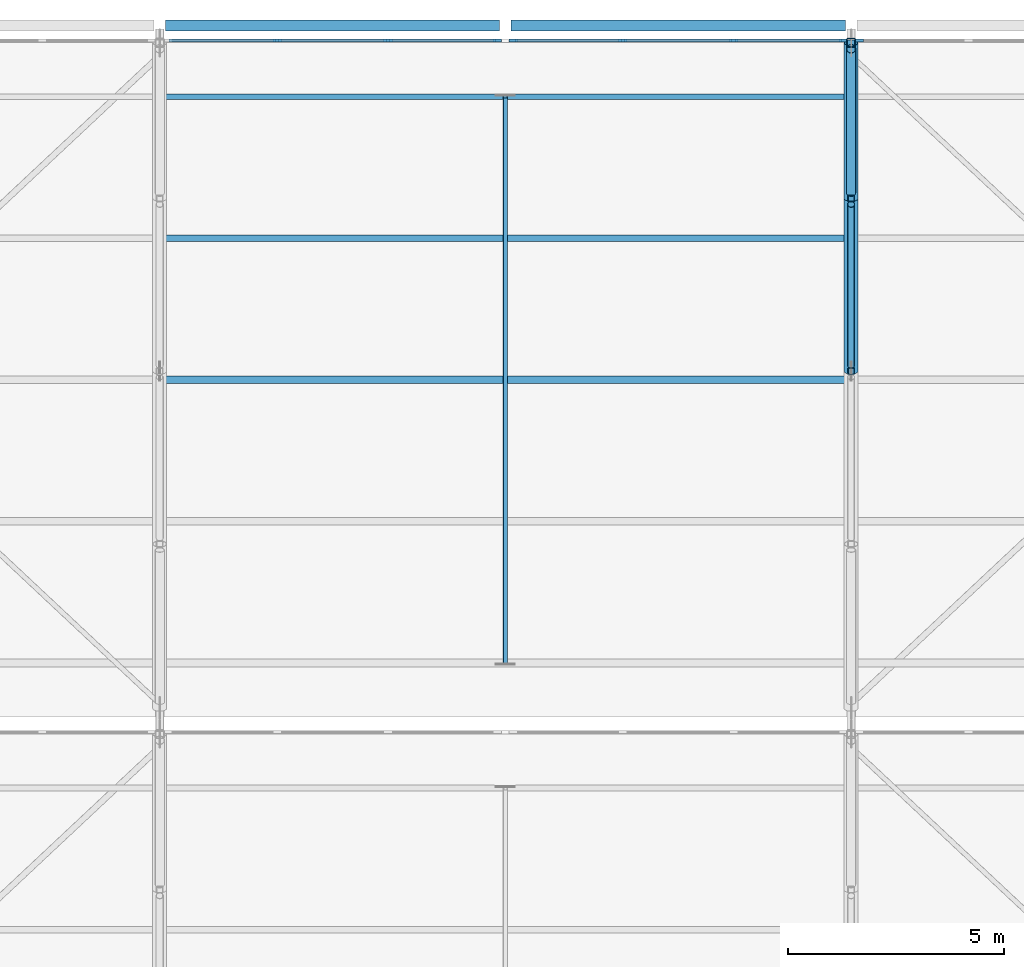
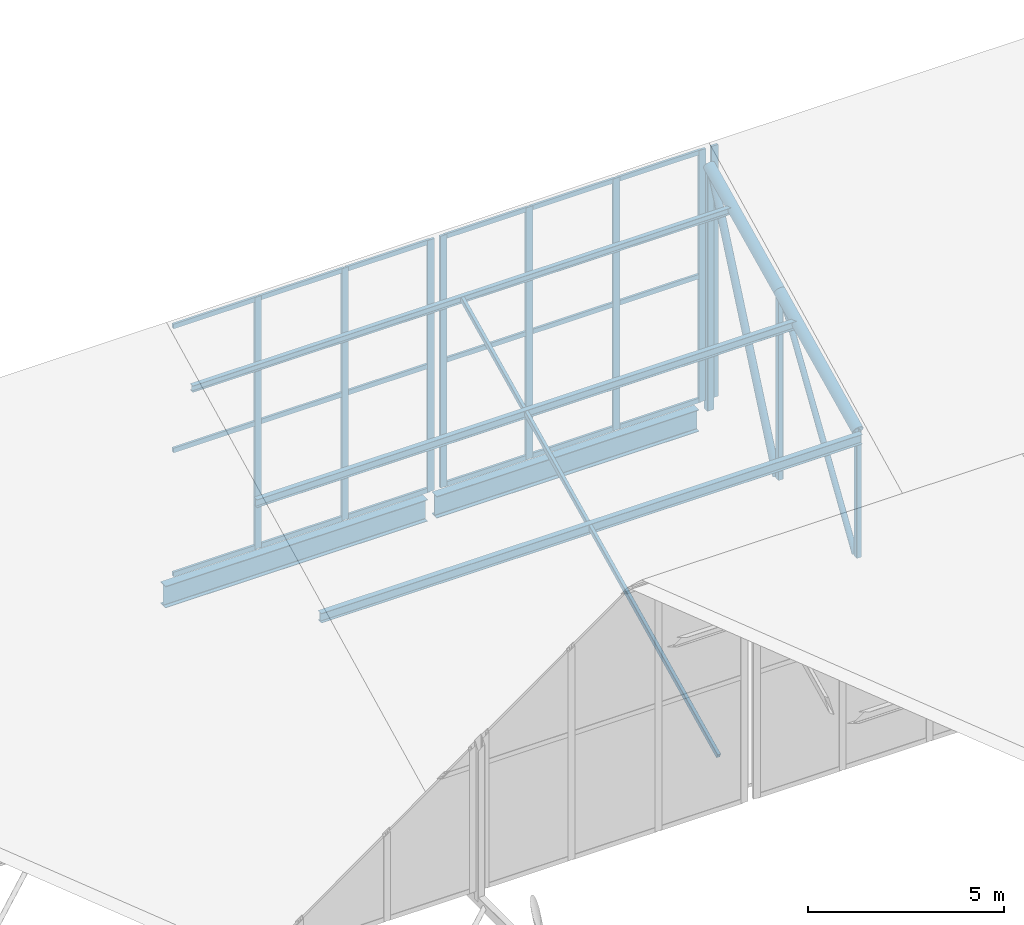
# One storey, part 88 of 137: 34 members, 5 beams, 3 elements without a shape of their own.
"""IFC4 building model written with IfcOpenShell, lengths in metres."""

import ifcopenshell
import ifcopenshell.guid

model = None  # the IFC model being written
_history = None  # IfcOwnerHistory: only IFC2X3 demands one
_inside = {}  # id of a spatial element -> (the spatial element, [elements in it])
_under = {}  # id of a project, library or spatial element -> (it, [spatial elements below it])
_declared = {}  # id of a project -> (the project, [libraries it declares])
_typed = {}  # id of a type object -> (the type object, [elements of that type])
_made_of = {}  # id of a material, layer set ... -> (it, [elements and type objects made of it])


def new_model(schema):
    """Start an empty IFC model of exactly this schema.

    Asked for "IFC4X3", IfcOpenShell would pick the latest addendum, in which some entities
    have other attributes; the version numbers below select the first issue.
    IFC2X3 requires an IfcOwnerHistory on every rooted entity: one is made here for all.
    """
    global model, _history
    if schema == "IFC4X3":
        model = ifcopenshell.file(schema_version=(4, 3, 0, 0))
    else:
        model = ifcopenshell.file(schema=schema)
    _inside.clear()
    _under.clear()
    _declared.clear()
    _typed.clear()
    _made_of.clear()
    _history = None
    if model.schema == "IFC2X3":
        org = make("IfcOrganization", Name="unknown")
        user = make(
            "IfcPersonAndOrganization",
            ThePerson=make("IfcPerson", FamilyName="unknown"),
            TheOrganization=org,
        )
        app = make(
            "IfcApplication",
            ApplicationDeveloper=org,
            Version="unknown",
            ApplicationFullName="unknown",
            ApplicationIdentifier="unknown",
        )
        _history = make(
            "IfcOwnerHistory",
            OwningUser=user,
            OwningApplication=app,
            ChangeAction="ADDED",
            CreationDate=0,
        )
    return model


def make(cls, **values):
    """One entity of the class cls with the attributes given. An attribute that is None is left unset."""
    return model.create_entity(
        cls, **{name: value for name, value in values.items() if value is not None}
    )


def rooted(cls, **values):
    """An entity with a GlobalId (a new one), such as an element, a storey or a relation."""
    return make(cls, GlobalId=ifcopenshell.guid.new(), OwnerHistory=_history, **values)


def si_unit(unit_type, name, prefix=None):
    """IfcSIUnit, for example si_unit("LENGTHUNIT", "METRE", prefix="MILLI")."""
    return make("IfcSIUnit", UnitType=unit_type, Prefix=prefix, Name=name)


def assignment(units):
    """IfcUnitAssignment: the units of a project."""
    return None if units is None else make("IfcUnitAssignment", Units=units)


def point(xyz):
    """IfcCartesianPoint."""
    return None if xyz is None else make("IfcCartesianPoint", Coordinates=xyz)


def direction(xyz):
    """IfcDirection."""
    return None if xyz is None else make("IfcDirection", DirectionRatios=xyz)


def frame(location, z_axis=None, x_axis=None):
    """IfcAxis2Placement3D, a coordinate frame: its origin and axes. An axis left out is left unset."""
    return make(
        "IfcAxis2Placement3D",
        Location=point(location),
        Axis=direction(z_axis),
        RefDirection=direction(x_axis),
    )


def frame_2d(location, x_axis=None):
    """IfcAxis2Placement2D, a coordinate frame in the plane: its origin and x axis."""
    return make(
        "IfcAxis2Placement2D", Location=point(location), RefDirection=direction(x_axis)
    )


def origin():
    """The frame at (0, 0, 0) with its axes left unset."""
    return frame((0.0, 0.0, 0.0))


def origin_2d():
    """The frame at (0, 0) in the plane with its x axis left unset."""
    return frame_2d((0.0, 0.0))


def place(relative_to, where):
    """IfcLocalPlacement: puts the frame where relative to a parent placement (None: the world)."""
    return make(
        "IfcLocalPlacement", PlacementRelTo=relative_to, RelativePlacement=where
    )


def context(
    kind, dimensions, precision=None, world=None, true_north=None, identifier=None
):
    """IfcGeometricRepresentationContext, for example the 3D "Model" context."""
    return make(
        "IfcGeometricRepresentationContext",
        ContextIdentifier=identifier,
        ContextType=kind,
        CoordinateSpaceDimension=dimensions,
        Precision=precision,
        WorldCoordinateSystem=world,
        TrueNorth=true_north,
    )


def subcontext(parent, identifier, kind, view, scale=None):
    """IfcGeometricRepresentationSubContext, for example "Body" below "Model"."""
    return make(
        "IfcGeometricRepresentationSubContext",
        ContextIdentifier=identifier,
        ContextType=kind,
        ParentContext=parent,
        TargetScale=scale,
        TargetView=view,
    )


def project(units=None, contexts=None):
    """IfcProject with its units and contexts."""
    return rooted(
        "IfcProject",
        Name="project",
        RepresentationContexts=contexts,
        UnitsInContext=assignment(units),
    )


def spatial(cls, under=None, at=None, **own):
    """A site, building, storey or space (cls), placed at a placement, below another one or the project."""
    s = rooted(cls, ObjectPlacement=at, **own)
    if under is not None:
        _under.setdefault(under.id(), (under, []))[1].append(s)
    return s


def profile(cls, at=None, kind="AREA", **sizes):
    """A parametric profile (cls). Its sizes go by their IFC names, for example OverallWidth=200.0."""
    return make(cls, ProfileType=kind, Position=at, **sizes)


def rectangle(**sizes):
    """IfcRectangleProfileDef."""
    return profile("IfcRectangleProfileDef", **sizes)


def hollow_rectangle(**sizes):
    """IfcRectangleHollowProfileDef."""
    return profile("IfcRectangleHollowProfileDef", **sizes)


def hollow_circle(**sizes):
    """IfcCircleHollowProfileDef."""
    return profile("IfcCircleHollowProfileDef", **sizes)


def i_section(**sizes):
    """IfcIShapeProfileDef."""
    return profile("IfcIShapeProfileDef", **sizes)


def extrude(swept, where, along, depth):
    """IfcExtrudedAreaSolid: the profile swept, set in the frame where, extruded along a direction by depth."""
    return make(
        "IfcExtrudedAreaSolid",
        SweptArea=swept,
        Position=where,
        ExtrudedDirection=direction(along),
        Depth=depth,
    )


def shape(context_of_items, identifier, shape_type, items):
    """IfcShapeRepresentation: the items that make up one representation, for example the "Body"."""
    return make(
        "IfcShapeRepresentation",
        ContextOfItems=context_of_items,
        RepresentationIdentifier=identifier,
        RepresentationType=shape_type,
        Items=items,
    )


def material(Name=None, Category=None):
    """IfcMaterial."""
    return make("IfcMaterial", Name=Name, Category=Category)


def layer(
    of_material, thickness, ventilated=None, Name=None, Category=None, Priority=None
):
    """IfcMaterialLayer: one layer of a wall or slab, of a material (None: an air gap)."""
    return make(
        "IfcMaterialLayer",
        Material=of_material,
        LayerThickness=thickness,
        IsVentilated=ventilated,
        Name=Name,
        Category=Category,
        Priority=Priority,
    )


def layer_set(layers, Name=None):
    """IfcMaterialLayerSet."""
    return make("IfcMaterialLayerSet", MaterialLayers=layers, LayerSetName=Name)


def material_profile(
    of_material, cross_section, Name=None, Category=None, Priority=None
):
    """IfcMaterialProfile: a cross section and its material."""
    return make(
        "IfcMaterialProfile",
        Name=Name,
        Material=of_material,
        Profile=cross_section,
        Priority=Priority,
        Category=Category,
    )


def profile_set(profiles, Name=None, composite=None):
    """IfcMaterialProfileSet."""
    return make(
        "IfcMaterialProfileSet",
        Name=Name,
        MaterialProfiles=profiles,
        CompositeProfile=composite,
    )


def made_of(thing, what):
    """Note that an element or type object is made of a material, layer set ...; save() writes the relation."""
    if what is not None:
        _made_of.setdefault(what.id(), (what, []))[1].append(thing)
    return thing


def type_object(cls, material=None, **own):
    """A type object (cls), such as IfcWallType, which elements share."""
    return made_of(rooted(cls, **own), material)


def element(
    cls,
    number,
    at=None,
    inside=None,
    cuts=None,
    type_object=None,
    material=None,
    context=None,
    identifier="Body",
    shape_type=None,
    held_by="IfcProductDefinitionShape",
    body=None,
    shapes=None,
    **own,
):
    """One element of the class cls, such as IfcWall. Its Tag is "e" and its number.

    at: its placement. inside: the storey or other place that contains it. cuts: it is an
    opening in that element (IfcRelVoidsElement). A single representation is given by context,
    identifier, shape_type and body (its items); several are given by shapes. held_by: the class
    of the entity that holds the representations. save() writes the other relations.
    """
    e = rooted(cls, Tag="e%d" % number, ObjectPlacement=at, **own)
    if body is not None:
        shapes = [shape(context, identifier, shape_type, body)]
    if shapes is not None:
        e.Representation = make(held_by, Representations=shapes)
    if inside is not None:
        _inside.setdefault(inside.id(), (inside, []))[1].append(e)
    if cuts is not None:
        rooted(
            "IfcRelVoidsElement", RelatingBuildingElement=cuts, RelatedOpeningElement=e
        )
    if type_object is not None:
        _typed.setdefault(type_object.id(), (type_object, []))[1].append(e)
    return made_of(e, material)


def aggregate(whole, parts):
    """IfcRelAggregates: a whole, such as a stair, and the parts it consists of."""
    return rooted("IfcRelAggregates", RelatingObject=whole, RelatedObjects=parts)


def save(model, path):
    """Write the relations noted so far, then the file.

    IfcRelAggregates (storeys below a building ...), IfcRelContainedInSpatialStructure (elements
    in a storey), IfcRelDefinesByType, IfcRelAssociatesMaterial and IfcRelDeclares: one each for
    every whole, place, type object, material and project.
    """
    for whole, parts in _under.values():
        aggregate(whole, parts)
    for where, things in _inside.values():
        rooted(
            "IfcRelContainedInSpatialStructure",
            RelatedElements=things,
            RelatingStructure=where,
        )
    for kind, things in _typed.values():
        rooted("IfcRelDefinesByType", RelatedObjects=things, RelatingType=kind)
    for what, things in _made_of.values():
        rooted("IfcRelAssociatesMaterial", RelatedObjects=things, RelatingMaterial=what)
    for by, libraries in _declared.values():
        rooted("IfcRelDeclares", RelatingContext=by, RelatedDefinitions=libraries)
    model.write(path)


model = new_model("IFC4")

# Units and contexts
model_context = context("Model", 3, precision=1e-05, world=origin(), true_north=direction((0.0, 1.0)))
body_context = subcontext(model_context, "Body", "Model", "MODEL_VIEW")
ifc_project = project(units=[si_unit("LENGTHUNIT", "METRE"), si_unit("AREAUNIT", "SQUARE_METRE"), si_unit("VOLUMEUNIT", "CUBIC_METRE"), si_unit("PLANEANGLEUNIT", "RADIAN"), si_unit("MASSUNIT", "GRAM", prefix="KILO")], contexts=[model_context])

# Site, building, storey
site_placement = place(None, origin())
site = spatial("IfcSite", under=ifc_project, at=site_placement, CompositionType="ELEMENT")
building_placement = place(site_placement, origin())
building = spatial("IfcBuilding", under=site, at=building_placement, Name="Jelvoka-Kovrelna Polytechnic", CompositionType="ELEMENT")
storey_placement = place(building_placement, frame((0.0, 0.0, 9.60009765625)))
storey = spatial("IfcBuildingStorey", under=building, at=storey_placement, Name="L03", CompositionType="ELEMENT", Elevation=9.60009765625)

# Beams
ifc_material_1 = material(Name="Structural steel S355JR", Category="steel")
ifc_material_profile_1 = material_profile(ifc_material_1, i_section(OverallWidth=0.2529296875, OverallDepth=0.677978515625, WebThickness=0.01171875, FlangeThickness=0.01611328125, FilletRadius=0.01513671875, at=origin_2d()), Name="686x254x125 UB")
ifc_profile_set_1 = profile_set([ifc_material_profile_1], Name="Structural steel S355JR")
beam_type_1 = type_object("IfcBeamType", Name="Girder_Steel_UB686", PredefinedType="BEAM", material=ifc_profile_set_1)
for number, where, z_axis, x_axis, name in (
    (1, (168.1328125, 120.0, -0.34912109375), (1.0, 0.0, 0.0), (0.0, 1.0, 0.0), "L03 beam 0110"),
    (2, (176.1328125, 120.0, -0.34912109375), (1.0, 0.0, 0.0), (0.0, 1.0, 0.0), "L03 beam 0112"),
):
    element("IfcBeam", number, at=place(storey_placement, frame(where, z_axis=z_axis, x_axis=x_axis)), inside=storey, type_object=beam_type_1, Name=name, PredefinedType="BEAM", context=body_context, shape_type="SweptSolid", body=[
        extrude(i_section(OverallWidth=0.2529296875, OverallDepth=0.677978515625, WebThickness=0.01171875, FlangeThickness=0.01611328125, FilletRadius=0.01513671875, at=origin_2d()), origin(), (0.0, 0.0, 1.0), 7.734375),
    ])

# Members
ifc_material_2 = material(Name="Structural steel S355J2H", Category="steel")
ifc_material_profile_2 = material_profile(ifc_material_2, hollow_circle(Radius=0.084228515625, WallThickness=0.008056640625, at=origin_2d()), Name="168.3x8.0 CHS")
ifc_profile_set_2 = profile_set([ifc_material_profile_2], Name="Structural steel S355J2H")
member_type_1 = type_object("IfcMemberType", Name="Member_Brace_CHS168", PredefinedType="BRACE", material=ifc_profile_set_2)
member_1_placement = place(storey_placement, frame((184.0, 112.139892578125, 0.14990234375), z_axis=(0.0, 0.5415746521, 0.840652660855), x_axis=(-1.0, 0.0, 0.0)))
element("IfcMember", 3, at=member_1_placement, inside=storey, type_object=member_type_1, Name="Sawtooth truss 7 diagonal web 2.3", PredefinedType="BRACE", context=body_context, shape_type="SweptSolid", body=[
    extrude(hollow_circle(Radius=0.084228515625, WallThickness=0.008056640625, at=origin_2d()), origin(), (0.0, 0.0, 1.0), 6.869140625),
])
ifc_material_3 = material(Name="Structural steel S355J2H", Category="steel")
ifc_material_profile_3 = material_profile(ifc_material_3, hollow_circle(Radius=0.109619140625, WallThickness=0.008056640625, at=origin_2d()), Name="219.1x8.0 CHS")
ifc_profile_set_3 = profile_set([ifc_material_profile_3], Name="Structural steel S355J2H")
member_type_2 = type_object("IfcMemberType", Name="Member_Brace_CHS219", PredefinedType="BRACE", material=ifc_profile_set_3)
member_2_placement = place(storey_placement, frame((184.0, 116.139892578125, 0.14990234375), z_axis=(0.0, 0.404336237521, 0.914610412705), x_axis=(-1.0, 0.0, 0.0)))
element("IfcMember", 4, at=member_2_placement, inside=storey, type_object=member_type_2, Name="Sawtooth truss 7 diagonal web 2.4", PredefinedType="BRACE", context=body_context, shape_type="SweptSolid", body=[
    extrude(hollow_circle(Radius=0.109619140625, WallThickness=0.008056640625, at=origin_2d()), origin(), (0.0, 0.0, 1.0), 8.211181640625),
])
ifc_material_4 = material(Name="Structural steel S355J2H", Category="steel")
ifc_material_profile_4 = material_profile(ifc_material_4, hollow_circle(Radius=0.161865234375, WallThickness=0.010009765625, at=origin_2d()), Name="323.9x10.0 CHS")
ifc_profile_set_4 = profile_set([ifc_material_profile_4], Name="Structural steel S355J2H")
member_type_3 = type_object("IfcMemberType", Name="Member_Chord_CHS324", PredefinedType="CHORD", material=ifc_profile_set_4)
member_3_placement = place(storey_placement, frame((184.0, 112.0, 4.076416015625), z_axis=(0.0, 0.900820911068, 0.434190840741), x_axis=(-1.0, 0.0, 0.0)))
element("IfcMember", 5, at=member_3_placement, inside=storey, type_object=member_type_3, Name="Sawtooth truss 7 top chord 2.3", PredefinedType="CHORD", context=body_context, shape_type="SweptSolid", body=[
    extrude(hollow_circle(Radius=0.161865234375, WallThickness=0.010009765625, at=origin_2d()), origin(), (0.0, 0.0, 1.0), 4.4404296875),
])
member_4_placement = place(storey_placement, frame((184.0, 116.0, 6.00439453125), z_axis=(0.0, 0.900784896778, 0.434265552095), x_axis=(-1.0, 0.0, 0.0)))
element("IfcMember", 6, at=member_4_placement, inside=storey, type_object=member_type_3, Name="Sawtooth truss 7 top chord 2.4", PredefinedType="CHORD", context=body_context, shape_type="SweptSolid", body=[
    extrude(hollow_circle(Radius=0.161865234375, WallThickness=0.010009765625, at=origin_2d()), origin(), (0.0, 0.0, 1.0), 3.99658203125),
])
ifc_material_5 = material(Name="Structural steel S355J2H", Category="steel")
ifc_material_profile_5 = material_profile(ifc_material_5, hollow_rectangle(XDim=0.14990234375, YDim=0.14990234375, WallThickness=0.008056640625, InnerFilletRadius=0.008056640625, OuterFilletRadius=0.011962890625, at=origin_2d()), Name="150x150x8.0 SHS")
ifc_profile_set_5 = profile_set([ifc_material_profile_5], Name="Structural steel S355J2H")
member_type_4 = type_object("IfcMemberType", Name="Member_Post_SHS150", PredefinedType="POST", material=ifc_profile_set_5)
member_5_placement = place(storey_placement, frame((184.0, 112.0, 0.14990234375), z_axis=(0.0, 0.0, 1.0), x_axis=(1.0, 0.0, 0.0)))
element("IfcMember", 7, at=member_5_placement, inside=storey, type_object=member_type_4, Name="Sawtooth truss 7 web post 2.3", PredefinedType="POST", context=body_context, shape_type="SweptSolid", body=[
    extrude(hollow_rectangle(XDim=0.14990234375, YDim=0.14990234375, WallThickness=0.008056640625, InnerFilletRadius=0.008056640625, OuterFilletRadius=0.011962890625, at=origin_2d()), origin(), (0.0, 0.0, 1.0), 3.926513671875),
])
member_6_placement = place(storey_placement, frame((184.0, 116.0, 0.14990234375), z_axis=(0.0, 0.0, 1.0), x_axis=(1.0, 0.0, 0.0)))
element("IfcMember", 8, at=member_6_placement, inside=storey, type_object=member_type_4, Name="Sawtooth truss 7 web post 2.4", PredefinedType="POST", context=body_context, shape_type="SweptSolid", body=[
    extrude(hollow_rectangle(XDim=0.14990234375, YDim=0.14990234375, WallThickness=0.008056640625, InnerFilletRadius=0.008056640625, OuterFilletRadius=0.011962890625, at=origin_2d()), origin(), (0.0, 0.0, 1.0), 5.8544921875),
])
ifc_material_6 = material(Name="Structural steel S355J2H", Category="steel")
ifc_material_profile_6 = material_profile(ifc_material_6, hollow_rectangle(XDim=0.199951171875, YDim=0.199951171875, WallThickness=0.010009765625, InnerFilletRadius=0.010009765625, OuterFilletRadius=0.014892578125, at=origin_2d()), Name="200x200x10.0 SHS")
ifc_profile_set_6 = profile_set([ifc_material_profile_6], Name="Structural steel S355J2H")
member_type_5 = type_object("IfcMemberType", Name="Member_Post_SHS200", PredefinedType="POST", material=ifc_profile_set_6)
member_7_placement = place(storey_placement, frame((184.0, 119.60009765625, 0.14990234375), z_axis=(0.0, 0.0, 1.0), x_axis=(1.0, 0.0, 0.0)))
element("IfcMember", 9, at=member_7_placement, inside=storey, type_object=member_type_5, Name="Sawtooth truss 7 web post 2.5", PredefinedType="POST", context=body_context, shape_type="SweptSolid", body=[
    extrude(hollow_rectangle(XDim=0.199951171875, YDim=0.199951171875, WallThickness=0.010009765625, InnerFilletRadius=0.010009765625, OuterFilletRadius=0.014892578125, at=origin_2d()), origin(), (0.0, 0.0, 1.0), 7.590087890625),
])
ifc_material_7 = material(Name="Structural steel S355J2H", Category="steel")
ifc_material_profile_7 = material_profile(ifc_material_7, hollow_rectangle(XDim=0.10009765625, YDim=0.14990234375, WallThickness=0.00634765625, InnerFilletRadius=0.00634765625, OuterFilletRadius=0.009521484375, at=origin_2d()), Name="150x100x6.3 RHS")
ifc_profile_set_7 = profile_set([ifc_material_profile_7], Name="Structural steel S355J2H")
member_type_6 = type_object("IfcMemberType", Name="Member_Rafter_RHS150", PredefinedType="RAFTER", material=ifc_profile_set_7)
member_8_placement = place(storey_placement, frame((176.0, 105.248046875, 0.821533203125), z_axis=(0.0, 0.900805023058, 0.434223802243), x_axis=(-1.0, 0.0, 0.0)))
element("IfcMember", 10, at=member_8_placement, inside=storey, type_object=member_type_6, Name="Sawtooth mid-bay secondary rafter 6.2", PredefinedType="RAFTER", context=body_context, shape_type="SweptSolid", body=[
    extrude(hollow_rectangle(XDim=0.10009765625, YDim=0.14990234375, WallThickness=0.00634765625, InnerFilletRadius=0.00634765625, OuterFilletRadius=0.009521484375, at=origin_2d()), origin(), (0.0, 0.0, 1.0), 14.546875),
])

# Curtain wall, members
ifc_material_8 = material(Name="Anodised aluminium 6063-T6", Category="aluminium")
ifc_layer = layer(ifc_material_8, 0.199951171875)
ifc_layer_set = layer_set([ifc_layer], Name="Anodised aluminium 6063-T6")
curtain_wall_type = type_object("IfcCurtainWallType", Name="CW_Clerestory", PredefinedType="NOTDEFINED", material=ifc_layer_set)
curtain_wall_1_placement = place(storey_placement, origin())
curtain_wall_1 = element("IfcCurtainWall", 11, at=curtain_wall_1_placement, inside=storey, type_object=curtain_wall_type, Name="L03 glazed curtain wall 204", PredefinedType="NOTDEFINED")
ifc_material_9 = material(Name="Anodised aluminium 6063-T6", Category="aluminium")
ifc_material_profile_8 = material_profile(ifc_material_9, rectangle(XDim=0.070068359375, YDim=0.199951171875, at=origin_2d()), Name="ALU 70x200")
ifc_profile_set_8 = profile_set([ifc_material_profile_8], Name="Anodised aluminium 6063-T6")
member_type_7 = type_object("IfcMemberType", Name="Mullion_M-03", PredefinedType="MULLION", material=ifc_profile_set_8)
member_9_placement = place(storey_placement, frame((170.716552734375, 119.64990234375, 0.425048828125), z_axis=(0.0, 0.0, 1.0), x_axis=(0.0, 1.0, 0.0)))
member_9 = element("IfcMember", 12, at=member_9_placement, type_object=member_type_7, Name="CW-03 mullion 2", PredefinedType="MULLION", context=body_context, shape_type="SweptSolid", body=[
    extrude(rectangle(XDim=0.070068359375, YDim=0.199951171875, at=origin_2d()), origin(), (0.0, 0.0, 1.0), 7.85009765625),
])
member_10_placement = place(storey_placement, frame((173.283447265625, 119.64990234375, 0.425048828125), z_axis=(0.0, 0.0, 1.0), x_axis=(0.0, 1.0, 0.0)))
member_10 = element("IfcMember", 13, at=member_10_placement, type_object=member_type_7, Name="CW-03 mullion 3", PredefinedType="MULLION", context=body_context, shape_type="SweptSolid", body=[
    extrude(rectangle(XDim=0.070068359375, YDim=0.199951171875, at=origin_2d()), origin(), (0.0, 0.0, 1.0), 7.85009765625),
])
member_11_placement = place(storey_placement, frame((175.81494140625, 119.64990234375, 0.425048828125), z_axis=(0.0, 0.0, 1.0), x_axis=(0.0, 1.0, 0.0)))
member_11 = element("IfcMember", 14, at=member_11_placement, type_object=member_type_7, Name="CW-03 mullion 4", PredefinedType="MULLION", context=body_context, shape_type="SweptSolid", body=[
    extrude(rectangle(XDim=0.070068359375, YDim=0.199951171875, at=origin_2d()), origin(), (0.0, 0.0, 1.0), 7.85009765625),
])

curtain_wall_2_placement = place(storey_placement, origin())
curtain_wall_2 = element("IfcCurtainWall", 15, at=curtain_wall_2_placement, inside=storey, type_object=curtain_wall_type, Name="L03 glazed curtain wall 206", PredefinedType="NOTDEFINED")
member_12_placement = place(storey_placement, frame((176.18505859375, 119.64990234375, 0.425048828125), z_axis=(0.0, 0.0, 1.0), x_axis=(0.0, 1.0, 0.0)))
member_12 = element("IfcMember", 16, at=member_12_placement, type_object=member_type_7, Name="CW-03 mullion 1", PredefinedType="MULLION", context=body_context, shape_type="SweptSolid", body=[
    extrude(rectangle(XDim=0.070068359375, YDim=0.199951171875, at=origin_2d()), origin(), (0.0, 0.0, 1.0), 7.85009765625),
])
member_13_placement = place(storey_placement, frame((178.716552734375, 119.64990234375, 0.425048828125), z_axis=(0.0, 0.0, 1.0), x_axis=(0.0, 1.0, 0.0)))
member_13 = element("IfcMember", 17, at=member_13_placement, type_object=member_type_7, Name="CW-03 mullion 2", PredefinedType="MULLION", context=body_context, shape_type="SweptSolid", body=[
    extrude(rectangle(XDim=0.070068359375, YDim=0.199951171875, at=origin_2d()), origin(), (0.0, 0.0, 1.0), 7.85009765625),
])
member_14_placement = place(storey_placement, frame((181.283447265625, 119.64990234375, 0.425048828125), z_axis=(0.0, 0.0, 1.0), x_axis=(0.0, 1.0, 0.0)))
member_14 = element("IfcMember", 18, at=member_14_placement, type_object=member_type_7, Name="CW-03 mullion 3", PredefinedType="MULLION", context=body_context, shape_type="SweptSolid", body=[
    extrude(rectangle(XDim=0.070068359375, YDim=0.199951171875, at=origin_2d()), origin(), (0.0, 0.0, 1.0), 7.85009765625),
])
member_15_placement = place(storey_placement, frame((183.81494140625, 119.64990234375, 0.425048828125), z_axis=(0.0, 0.0, 1.0), x_axis=(0.0, 1.0, 0.0)))
member_15 = element("IfcMember", 19, at=member_15_placement, type_object=member_type_7, Name="CW-03 mullion 4", PredefinedType="MULLION", context=body_context, shape_type="SweptSolid", body=[
    extrude(rectangle(XDim=0.070068359375, YDim=0.199951171875, at=origin_2d()), origin(), (0.0, 0.0, 1.0), 7.85009765625),
])

# Curtain wall, member
curtain_wall_3_placement = place(storey_placement, origin())
curtain_wall_3 = element("IfcCurtainWall", 20, at=curtain_wall_3_placement, inside=storey, type_object=curtain_wall_type, Name="L03 glazed curtain wall 208", PredefinedType="NOTDEFINED")
member_16_placement = place(storey_placement, frame((184.18505859375, 119.64990234375, 0.425048828125), z_axis=(0.0, 0.0, 1.0), x_axis=(0.0, 1.0, 0.0)))
member_16 = element("IfcMember", 21, at=member_16_placement, type_object=member_type_7, Name="CW-03 mullion 1", PredefinedType="MULLION", context=body_context, shape_type="SweptSolid", body=[
    extrude(rectangle(XDim=0.070068359375, YDim=0.199951171875, at=origin_2d()), origin(), (0.0, 0.0, 1.0), 7.85009765625),
])
aggregate(curtain_wall_3, [member_16])

# Beams
ifc_material_10 = material(Name="Structural steel S355JR", Category="steel")
ifc_material_profile_9 = material_profile(ifc_material_10, i_section(OverallWidth=0.13330078125, OverallDepth=0.203125, WebThickness=0.005615234375, FlangeThickness=0.0078125, FilletRadius=0.007568359375, at=origin_2d()), Name="203x133x25 UB")
ifc_profile_set_9 = profile_set([ifc_material_profile_9], Name="Structural steel S355JR")
beam_type_2 = type_object("IfcBeamType", Name="Purlin_Steel_UB203", PredefinedType="JOIST", material=ifc_profile_set_9)
beam_1_placement = place(storey_placement, frame((168.02001953125, 118.35205078125, 7.13818359375), z_axis=(1.0, 0.0, 0.0), x_axis=(0.0, 1.0, 0.0)))
element("IfcBeam", 22, at=beam_1_placement, inside=storey, type_object=beam_type_2, Name="Sawtooth roof purlin 060", PredefinedType="JOIST", context=body_context, shape_type="SweptSolid", body=[
    extrude(i_section(OverallWidth=0.13330078125, OverallDepth=0.203125, WebThickness=0.005615234375, FlangeThickness=0.0078125, FilletRadius=0.007568359375, at=origin_2d()), origin(), (0.0, 0.0, 1.0), 15.9599609375),
])
ifc_material_11 = material(Name="Structural steel S355JR", Category="steel")
ifc_material_profile_10 = material_profile(ifc_material_11, i_section(OverallWidth=0.14599609375, OverallDepth=0.25146484375, WebThickness=0.006103515625, FlangeThickness=0.008544921875, FilletRadius=0.007568359375, at=origin_2d()), Name="254x146x31 UB")
ifc_profile_set_10 = profile_set([ifc_material_profile_10], Name="Structural steel S355JR")
beam_type_3 = type_object("IfcBeamType", Name="Purlin_Steel_UB254", PredefinedType="JOIST", material=ifc_profile_set_10)
beam_2_placement = place(storey_placement, frame((168.02001953125, 115.075927734375, 5.55908203125), z_axis=(1.0, 0.0, 0.0), x_axis=(0.0, 1.0, 0.0)))
element("IfcBeam", 23, at=beam_2_placement, inside=storey, type_object=beam_type_3, Name="Sawtooth roof purlin 059", PredefinedType="JOIST", context=body_context, shape_type="SweptSolid", body=[
    extrude(i_section(OverallWidth=0.14599609375, OverallDepth=0.25146484375, WebThickness=0.006103515625, FlangeThickness=0.008544921875, FilletRadius=0.007568359375, at=origin_2d()), origin(), (0.0, 0.0, 1.0), 15.9599609375),
])
ifc_material_12 = material(Name="Structural steel S355JR", Category="steel")
ifc_material_profile_11 = material_profile(ifc_material_12, i_section(OverallWidth=0.1650390625, OverallDepth=0.303466796875, WebThickness=0.006103515625, FlangeThickness=0.01025390625, FilletRadius=0.0087890625, at=origin_2d()), Name="305x165x40 UB")
ifc_profile_set_11 = profile_set([ifc_material_profile_11], Name="Structural steel S355JR")
beam_type_4 = type_object("IfcBeamType", Name="Purlin_Steel_UB305", PredefinedType="JOIST", material=ifc_profile_set_11)
beam_3_placement = place(storey_placement, frame((168.02001953125, 111.800048828125, 3.97998046875), z_axis=(1.0, 0.0, 0.0), x_axis=(0.0, 1.0, 0.0)))
element("IfcBeam", 24, at=beam_3_placement, inside=storey, type_object=beam_type_4, Name="Sawtooth roof purlin 058", PredefinedType="JOIST", context=body_context, shape_type="SweptSolid", body=[
    extrude(i_section(OverallWidth=0.1650390625, OverallDepth=0.303466796875, WebThickness=0.006103515625, FlangeThickness=0.01025390625, FilletRadius=0.0087890625, at=origin_2d()), origin(), (0.0, 0.0, 1.0), 15.9599609375),
])

# Member
ifc_material_13 = material(Name="Anodised aluminium 6063-T6", Category="aluminium")
ifc_material_profile_12 = material_profile(ifc_material_13, rectangle(XDim=0.070068359375, YDim=0.14501953125, at=origin_2d()), Name="ALU 70x145")
ifc_profile_set_12 = profile_set([ifc_material_profile_12], Name="Anodised aluminium 6063-T6")
member_type_8 = type_object("IfcMemberType", Name="Transom_T-03", PredefinedType="USERDEFINED", material=ifc_profile_set_12)
member_17_placement = place(storey_placement, frame((168.219970703125, 119.64990234375, 0.48486328125), z_axis=(1.0, 0.0, 0.0), x_axis=(0.0, 1.0, 0.0)))
member_17 = element("IfcMember", 25, at=member_17_placement, type_object=member_type_8, Name="CW-03 transom 1.1", ObjectType="TRANSOM", PredefinedType="USERDEFINED", context=body_context, shape_type="SweptSolid", body=[
    extrude(rectangle(XDim=0.070068359375, YDim=0.14501953125, at=origin_2d()), origin(), (0.0, 0.0, 1.0), 2.461669921875),
])

member_18_placement = place(storey_placement, frame((168.219970703125, 119.64990234375, 4.349853515625), z_axis=(1.0, 0.0, 0.0), x_axis=(0.0, 1.0, 0.0)))
member_18 = element("IfcMember", 26, at=member_18_placement, type_object=member_type_8, Name="CW-03 transom 1.2", ObjectType="TRANSOM", PredefinedType="USERDEFINED", context=body_context, shape_type="SweptSolid", body=[
    extrude(rectangle(XDim=0.070068359375, YDim=0.14501953125, at=origin_2d()), origin(), (0.0, 0.0, 1.0), 2.461669921875),
])

member_19_placement = place(storey_placement, frame((168.219970703125, 119.64990234375, 8.21484375), z_axis=(1.0, 0.0, 0.0), x_axis=(0.0, 1.0, 0.0)))
member_19 = element("IfcMember", 27, at=member_19_placement, type_object=member_type_8, Name="CW-03 transom 1.3", ObjectType="TRANSOM", PredefinedType="USERDEFINED", context=body_context, shape_type="SweptSolid", body=[
    extrude(rectangle(XDim=0.070068359375, YDim=0.14501953125, at=origin_2d()), origin(), (0.0, 0.0, 1.0), 2.461669921875),
])

member_20_placement = place(storey_placement, frame((170.751708984375, 119.64990234375, 0.48486328125), z_axis=(1.0, 0.0, 0.0), x_axis=(0.0, 1.0, 0.0)))
member_20 = element("IfcMember", 28, at=member_20_placement, type_object=member_type_8, Name="CW-03 transom 2.1", ObjectType="TRANSOM", PredefinedType="USERDEFINED", context=body_context, shape_type="SweptSolid", body=[
    extrude(rectangle(XDim=0.070068359375, YDim=0.14501953125, at=origin_2d()), origin(), (0.0, 0.0, 1.0), 2.49658203125),
])

member_21_placement = place(storey_placement, frame((170.751708984375, 119.64990234375, 4.349853515625), z_axis=(1.0, 0.0, 0.0), x_axis=(0.0, 1.0, 0.0)))
member_21 = element("IfcMember", 29, at=member_21_placement, type_object=member_type_8, Name="CW-03 transom 2.2", ObjectType="TRANSOM", PredefinedType="USERDEFINED", context=body_context, shape_type="SweptSolid", body=[
    extrude(rectangle(XDim=0.070068359375, YDim=0.14501953125, at=origin_2d()), origin(), (0.0, 0.0, 1.0), 2.49658203125),
])

member_22_placement = place(storey_placement, frame((170.751708984375, 119.64990234375, 8.21484375), z_axis=(1.0, 0.0, 0.0), x_axis=(0.0, 1.0, 0.0)))
member_22 = element("IfcMember", 30, at=member_22_placement, type_object=member_type_8, Name="CW-03 transom 2.3", ObjectType="TRANSOM", PredefinedType="USERDEFINED", context=body_context, shape_type="SweptSolid", body=[
    extrude(rectangle(XDim=0.070068359375, YDim=0.14501953125, at=origin_2d()), origin(), (0.0, 0.0, 1.0), 2.49658203125),
])

member_23_placement = place(storey_placement, frame((173.318359375, 119.64990234375, 0.48486328125), z_axis=(1.0, 0.0, 0.0), x_axis=(0.0, 1.0, 0.0)))
member_23 = element("IfcMember", 31, at=member_23_placement, type_object=member_type_8, Name="CW-03 transom 3.1", ObjectType="TRANSOM", PredefinedType="USERDEFINED", context=body_context, shape_type="SweptSolid", body=[
    extrude(rectangle(XDim=0.070068359375, YDim=0.14501953125, at=origin_2d()), origin(), (0.0, 0.0, 1.0), 2.461669921875),
])

member_24_placement = place(storey_placement, frame((173.318359375, 119.64990234375, 4.349853515625), z_axis=(1.0, 0.0, 0.0), x_axis=(0.0, 1.0, 0.0)))
member_24 = element("IfcMember", 32, at=member_24_placement, type_object=member_type_8, Name="CW-03 transom 3.2", ObjectType="TRANSOM", PredefinedType="USERDEFINED", context=body_context, shape_type="SweptSolid", body=[
    extrude(rectangle(XDim=0.070068359375, YDim=0.14501953125, at=origin_2d()), origin(), (0.0, 0.0, 1.0), 2.461669921875),
])

member_25_placement = place(storey_placement, frame((173.318359375, 119.64990234375, 8.21484375), z_axis=(1.0, 0.0, 0.0), x_axis=(0.0, 1.0, 0.0)))
member_25 = element("IfcMember", 33, at=member_25_placement, type_object=member_type_8, Name="CW-03 transom 3.3", ObjectType="TRANSOM", PredefinedType="USERDEFINED", context=body_context, shape_type="SweptSolid", body=[
    extrude(rectangle(XDim=0.070068359375, YDim=0.14501953125, at=origin_2d()), origin(), (0.0, 0.0, 1.0), 2.461669921875),
])

aggregate(curtain_wall_1, [member_9, member_10, member_11, member_17, member_18, member_19, member_20, member_21, member_22, member_23, member_24, member_25])

member_26_placement = place(storey_placement, frame((176.219970703125, 119.64990234375, 0.48486328125), z_axis=(1.0, 0.0, 0.0), x_axis=(0.0, 1.0, 0.0)))
member_26 = element("IfcMember", 34, at=member_26_placement, type_object=member_type_8, Name="CW-03 transom 1.1", ObjectType="TRANSOM", PredefinedType="USERDEFINED", context=body_context, shape_type="SweptSolid", body=[
    extrude(rectangle(XDim=0.070068359375, YDim=0.14501953125, at=origin_2d()), origin(), (0.0, 0.0, 1.0), 2.461669921875),
])

member_27_placement = place(storey_placement, frame((176.219970703125, 119.64990234375, 4.349853515625), z_axis=(1.0, 0.0, 0.0), x_axis=(0.0, 1.0, 0.0)))
member_27 = element("IfcMember", 35, at=member_27_placement, type_object=member_type_8, Name="CW-03 transom 1.2", ObjectType="TRANSOM", PredefinedType="USERDEFINED", context=body_context, shape_type="SweptSolid", body=[
    extrude(rectangle(XDim=0.070068359375, YDim=0.14501953125, at=origin_2d()), origin(), (0.0, 0.0, 1.0), 2.461669921875),
])

member_28_placement = place(storey_placement, frame((176.219970703125, 119.64990234375, 8.21484375), z_axis=(1.0, 0.0, 0.0), x_axis=(0.0, 1.0, 0.0)))
member_28 = element("IfcMember", 36, at=member_28_placement, type_object=member_type_8, Name="CW-03 transom 1.3", ObjectType="TRANSOM", PredefinedType="USERDEFINED", context=body_context, shape_type="SweptSolid", body=[
    extrude(rectangle(XDim=0.070068359375, YDim=0.14501953125, at=origin_2d()), origin(), (0.0, 0.0, 1.0), 2.461669921875),
])

member_29_placement = place(storey_placement, frame((178.751708984375, 119.64990234375, 0.48486328125), z_axis=(1.0, 0.0, 0.0), x_axis=(0.0, 1.0, 0.0)))
member_29 = element("IfcMember", 37, at=member_29_placement, type_object=member_type_8, Name="CW-03 transom 2.1", ObjectType="TRANSOM", PredefinedType="USERDEFINED", context=body_context, shape_type="SweptSolid", body=[
    extrude(rectangle(XDim=0.070068359375, YDim=0.14501953125, at=origin_2d()), origin(), (0.0, 0.0, 1.0), 2.49658203125),
])

member_30_placement = place(storey_placement, frame((178.751708984375, 119.64990234375, 4.349853515625), z_axis=(1.0, 0.0, 0.0), x_axis=(0.0, 1.0, 0.0)))
member_30 = element("IfcMember", 38, at=member_30_placement, type_object=member_type_8, Name="CW-03 transom 2.2", ObjectType="TRANSOM", PredefinedType="USERDEFINED", context=body_context, shape_type="SweptSolid", body=[
    extrude(rectangle(XDim=0.070068359375, YDim=0.14501953125, at=origin_2d()), origin(), (0.0, 0.0, 1.0), 2.49658203125),
])

member_31_placement = place(storey_placement, frame((178.751708984375, 119.64990234375, 8.21484375), z_axis=(1.0, 0.0, 0.0), x_axis=(0.0, 1.0, 0.0)))
member_31 = element("IfcMember", 39, at=member_31_placement, type_object=member_type_8, Name="CW-03 transom 2.3", ObjectType="TRANSOM", PredefinedType="USERDEFINED", context=body_context, shape_type="SweptSolid", body=[
    extrude(rectangle(XDim=0.070068359375, YDim=0.14501953125, at=origin_2d()), origin(), (0.0, 0.0, 1.0), 2.49658203125),
])

member_32_placement = place(storey_placement, frame((181.318359375, 119.64990234375, 0.48486328125), z_axis=(1.0, 0.0, 0.0), x_axis=(0.0, 1.0, 0.0)))
member_32 = element("IfcMember", 40, at=member_32_placement, type_object=member_type_8, Name="CW-03 transom 3.1", ObjectType="TRANSOM", PredefinedType="USERDEFINED", context=body_context, shape_type="SweptSolid", body=[
    extrude(rectangle(XDim=0.070068359375, YDim=0.14501953125, at=origin_2d()), origin(), (0.0, 0.0, 1.0), 2.461669921875),
])

member_33_placement = place(storey_placement, frame((181.318359375, 119.64990234375, 4.349853515625), z_axis=(1.0, 0.0, 0.0), x_axis=(0.0, 1.0, 0.0)))
member_33 = element("IfcMember", 41, at=member_33_placement, type_object=member_type_8, Name="CW-03 transom 3.2", ObjectType="TRANSOM", PredefinedType="USERDEFINED", context=body_context, shape_type="SweptSolid", body=[
    extrude(rectangle(XDim=0.070068359375, YDim=0.14501953125, at=origin_2d()), origin(), (0.0, 0.0, 1.0), 2.461669921875),
])

member_34_placement = place(storey_placement, frame((181.318359375, 119.64990234375, 8.21484375), z_axis=(1.0, 0.0, 0.0), x_axis=(0.0, 1.0, 0.0)))
member_34 = element("IfcMember", 42, at=member_34_placement, type_object=member_type_8, Name="CW-03 transom 3.3", ObjectType="TRANSOM", PredefinedType="USERDEFINED", context=body_context, shape_type="SweptSolid", body=[
    extrude(rectangle(XDim=0.070068359375, YDim=0.14501953125, at=origin_2d()), origin(), (0.0, 0.0, 1.0), 2.461669921875),
])

aggregate(curtain_wall_2, [member_12, member_13, member_14, member_15, member_26, member_27, member_28, member_29, member_30, member_31, member_32, member_33, member_34])

save(model, "model.ifc")
